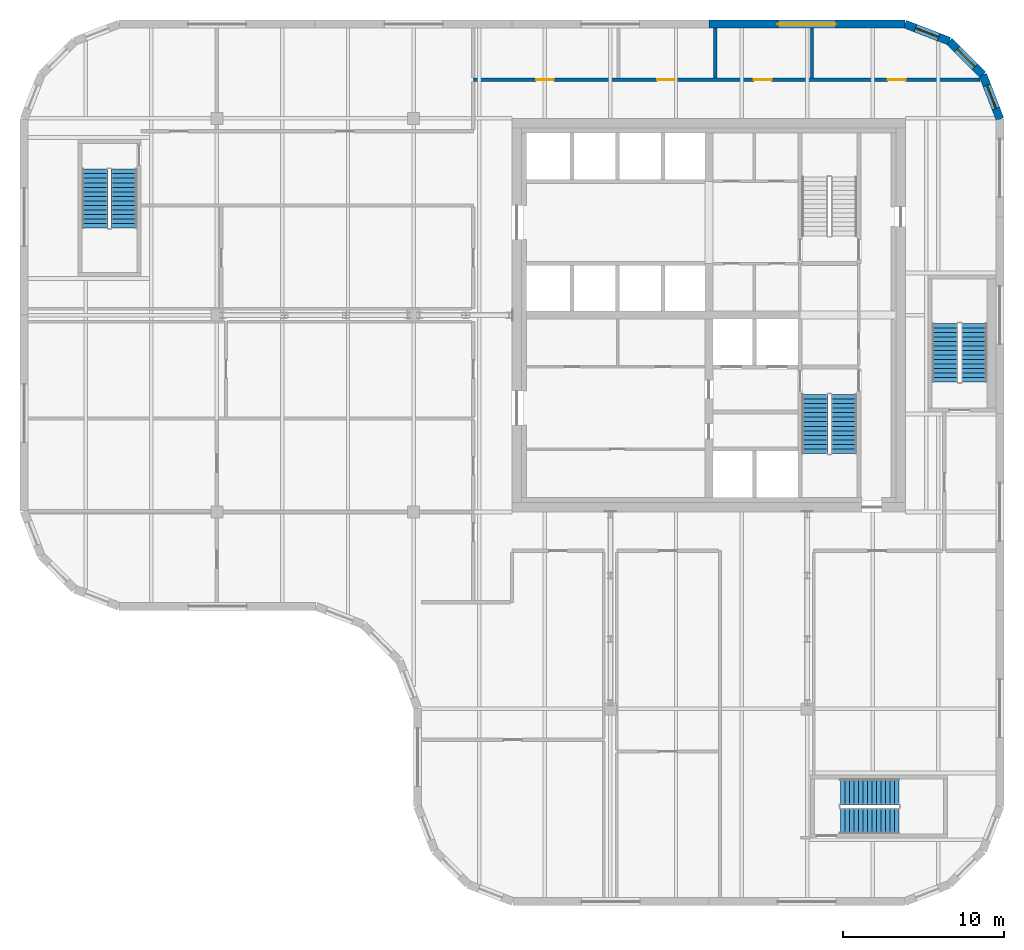
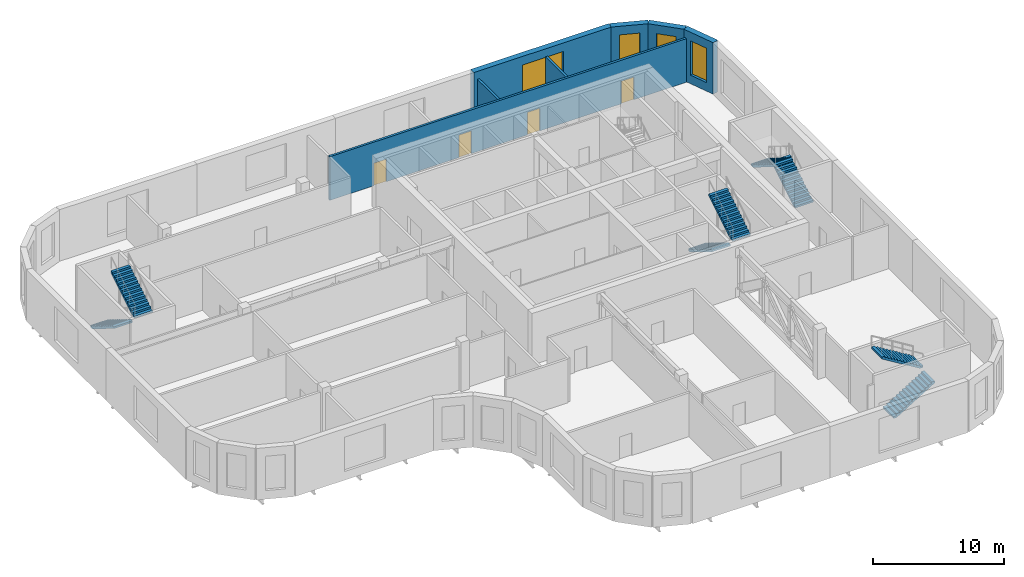
# One storey, part 10 of 12: 8 stair flights, 7 walls, 4 doors, 4 windows, 8 openings, 4 elements without a shape of their own.
"""IFC4 building model written with IfcOpenShell, lengths in metres."""

from ifc_helpers import new_model, si_unit, direction, frame, frame_2d, origin, place, context, subcontext, project, spatial, polyline, rectangle, outline, extrude, faceted_brep, source, transform, mapped, material, layer, layer_set, type_object, element, fill, aggregate, save


model = new_model("IFC4")

# Units and contexts
model_context = context("Model", 3, precision=1e-05, world=origin(), true_north=direction((0.0, 1.0)))
body_context = subcontext(model_context, "Body", "Model", "MODEL_VIEW")
ifc_project = project(units=[si_unit("LENGTHUNIT", "METRE"), si_unit("AREAUNIT", "SQUARE_METRE"), si_unit("VOLUMEUNIT", "CUBIC_METRE"), si_unit("PLANEANGLEUNIT", "RADIAN"), si_unit("MASSUNIT", "GRAM", prefix="KILO")], contexts=[model_context])

# Site, building, storey
site_placement = place(None, origin())
site = spatial("IfcSite", under=ifc_project, at=site_placement, CompositionType="ELEMENT")
building_placement = place(site_placement, origin())
building = spatial("IfcBuilding", under=site, at=building_placement, Name="Tessera Gate Towers", CompositionType="ELEMENT")
storey_placement = place(building_placement, frame((0.0, 0.0, 150.60009765625)))
storey = spatial("IfcBuildingStorey", under=building, at=storey_placement, Name="L37", CompositionType="ELEMENT", Elevation=150.60009765625)

# Wall, openings, doors
ifc_material_1 = material(Name="Concrete masonry unit", Category="masonry")
ifc_layer_1 = layer(ifc_material_1, 0.199951171875)
ifc_layer_set_1 = layer_set([ifc_layer_1], Name="PLANT WALL 200")
wall_type_1 = type_object("IfcWallType", Name="PLANT WALL 200", PredefinedType="PARTITIONING", material=ifc_layer_set_1)
wall_1_placement = place(storey_placement, frame((28.10009765625, 51.199951171875, 0.0), z_axis=(0.0, 0.0, 1.0), x_axis=(1.0, 0.0, 0.0)))
wall_1 = element("IfcWall", 1, at=wall_1_placement, inside=storey, type_object=wall_type_1, Name="T1-L37-PW-038", PredefinedType="PARTITIONING", context=body_context, shape_type="SweptSolid", body=[
    extrude(rectangle(XDim=31.4130859375, YDim=0.199951171875, at=frame_2d((15.70654296875, 0.0))), origin(), (0.0, 0.0, 1.0), 4.06689453125),
])
shared_shape_1 = source(origin(), body_context, "Body", "SweptSolid", [
    extrude(rectangle(XDim=1.10009765625, YDim=2.10009765625, at=frame_2d((0.550048828125, 1.050048828125))), frame((0.0, 0.10986328125, 0.0), z_axis=(0.0, -1.0, 0.0), x_axis=(1.0, 0.0, 0.0)), (0.0, 0.0, 1.0), 0.219970703125),
])
opening_1_placement = place(wall_1_placement, frame((17.40087890625, 0.0, 0.0)))
opening_1 = element("IfcOpeningElement", 2, at=opening_1_placement, cuts=wall_1, Name="Opening D5110FD90-A31-09", PredefinedType="OPENING", context=body_context, shape_type="MappedRepresentation", body=[
    mapped(shared_shape_1, transform((0.0, 0.0, 0.0), scale=1.0)),
])
opening_2_placement = place(wall_1_placement, frame((11.40087890625, 0.0, 0.0)))
opening_2 = element("IfcOpeningElement", 3, at=opening_2_placement, cuts=wall_1, Name="Opening D5110FD90-A31-10", PredefinedType="OPENING", context=body_context, shape_type="MappedRepresentation", body=[
    mapped(shared_shape_1, transform((0.0, 0.0, 0.0), scale=1.0)),
])
opening_3_placement = place(wall_1_placement, frame((3.89990234375, 0.0, 0.0)))
opening_3 = element("IfcOpeningElement", 4, at=opening_3_placement, cuts=wall_1, Name="Opening D5110FD90-A31-17", PredefinedType="OPENING", context=body_context, shape_type="MappedRepresentation", body=[
    mapped(shared_shape_1, transform((0.0, 0.0, 0.0), scale=1.0)),
])
opening_4_placement = place(wall_1_placement, frame((25.699951171875, 0.0, 0.0)))
opening_4 = element("IfcOpeningElement", 5, at=opening_4_placement, cuts=wall_1, Name="Opening D5110FD90-A31-18", PredefinedType="OPENING", context=body_context, shape_type="MappedRepresentation", body=[
    mapped(shared_shape_1, transform((0.0, 0.0, 0.0), scale=1.0)),
])
ifc_material_2 = material(Name="Timber door leaf in steel frame", Category="steel")
door_type = type_object("IfcDoorType", Name="PLANT DOOR 1100 FD90", OperationType="NOTDEFINED", PredefinedType="DOOR", material=ifc_material_2)
shared_shape_2 = source(origin(), body_context, "Body", "SweptSolid", [
    extrude(rectangle(XDim=1.10009765625, YDim=2.10009765625, at=frame_2d((0.550048828125, 1.050048828125))), frame((0.0, 0.02490234375, 0.0), z_axis=(0.0, -1.0, 0.0), x_axis=(1.0, 0.0, 0.0)), (0.0, 0.0, 1.0), 0.050048828125),
])
door_1_placement = place(opening_1_placement, origin())
door_1 = element("IfcDoor", 6, at=door_1_placement, inside=storey, type_object=door_type, Name="T1-L37-PD-009", OperationType="SINGLE_SWING_LEFT", OverallHeight=2.10009765625, OverallWidth=1.10009765625, PredefinedType="DOOR", context=body_context, shape_type="MappedRepresentation", body=[
    mapped(shared_shape_2, transform((0.0, 0.0, 0.0), scale=1.0)),
])
fill(opening_1, door_1)
door_2_placement = place(opening_2_placement, origin())
door_2 = element("IfcDoor", 7, at=door_2_placement, inside=storey, type_object=door_type, Name="T1-L37-PD-010", OperationType="SINGLE_SWING_LEFT", OverallHeight=2.10009765625, OverallWidth=1.10009765625, PredefinedType="DOOR", context=body_context, shape_type="MappedRepresentation", body=[
    mapped(shared_shape_2, transform((0.0, 0.0, 0.0), scale=1.0)),
])
fill(opening_2, door_2)
door_3_placement = place(opening_3_placement, origin())
door_3 = element("IfcDoor", 8, at=door_3_placement, inside=storey, type_object=door_type, Name="T1-L37-PD-017", OperationType="SINGLE_SWING_LEFT", OverallHeight=2.10009765625, OverallWidth=1.10009765625, PredefinedType="DOOR", context=body_context, shape_type="MappedRepresentation", body=[
    mapped(shared_shape_2, transform((0.0, 0.0, 0.0), scale=1.0)),
])
fill(opening_3, door_3)
door_4_placement = place(opening_4_placement, origin())
door_4 = element("IfcDoor", 9, at=door_4_placement, inside=storey, type_object=door_type, Name="T1-L37-PD-018", OperationType="SINGLE_SWING_LEFT", OverallHeight=2.10009765625, OverallWidth=1.10009765625, PredefinedType="DOOR", context=body_context, shape_type="MappedRepresentation", body=[
    mapped(shared_shape_2, transform((0.0, 0.0, 0.0), scale=1.0)),
])
fill(opening_4, door_4)

# Walls
for number, where, z_axis, x_axis, name in (
    (10, (43.10009765625, 51.301025390625, 0.0), (0.0, 0.0, 1.0), (0.0, 1.0, 0.0), "T1-L37-PW-041"),
    (11, (49.10009765625, 51.301025390625, 0.0), (0.0, 0.0, 1.0), (0.0, 1.0, 0.0), "T1-L37-PW-042"),
):
    element("IfcWall", number, at=place(storey_placement, frame(where, z_axis=z_axis, x_axis=x_axis)), inside=storey, type_object=wall_type_1, Name=name, PredefinedType="PARTITIONING", context=body_context, shape_type="SweptSolid", body=[
        extrude(rectangle(XDim=3.098876953125, YDim=0.199951171875, at=frame_2d((1.54931640625, 0.0))), origin(), (0.0, 0.0, 1.0), 4.06689453125),
    ])

# Wall, opening, window
ifc_material_3 = material(Name="Precast concrete C60/75 white", Category="concrete")
ifc_layer_2 = layer(ifc_material_3, 0.5)
ifc_layer_set_2 = layer_set([ifc_layer_2], Name="RB1 ring band panel")
wall_type_2 = type_object("IfcWallType", Name="RB1 ring band panel", PredefinedType="SOLIDWALL", material=ifc_layer_set_2)
shared_shape_3 = source(origin(), body_context, "Body", "Brep", [
    faceted_brep([(0.0, -0.25, 0.0), (12.153564453125, -0.25, 0.0), (12.153564453125, -0.25, 4.7998046875), (0.0, -0.25, 4.7998046875), (0.046630859375, 0.25, 4.7998046875), (12.153564453125, 0.25, 4.7998046875), (12.153564453125, 0.25, 0.0), (0.046630859375, 0.25, 0.0), (0.0, 0.0, 0.0), (0.0, 0.0, 4.7998046875)], [[[0, 1, 2, 3]], [[4, 5, 6, 7]], [[7, 6, 1, 0, 8]], [[5, 4, 9, 3, 2]], [[8, 0, 3, 9]], [[7, 8, 9, 4]], [[1, 6, 5, 2]]]),
])
wall_2_placement = place(storey_placement, frame((54.853515625, 54.64990234375, 0.0), z_axis=(0.0, 0.0, 1.0), x_axis=(-1.0, 0.0, 0.0)))
wall_2 = element("IfcWall", 12, at=wall_2_placement, inside=storey, type_object=wall_type_2, Name="Ring band panel T1 RB1-0045", PredefinedType="SOLIDWALL", context=body_context, shape_type="MappedRepresentation", body=[
    mapped(shared_shape_3, transform((0.0, 0.0, 0.0), scale=1.0)),
])
shared_shape_4 = source(origin(), body_context, "Body", "SweptSolid", [
    extrude(outline(polyline([(4.276611328125, 0.7998046875), (7.876708984375, 0.7998046875), (7.876708984375, 4.0), (4.276611328125, 4.0), (4.276611328125, 0.7998046875)])), frame((0.0, 0.260009765625, 0.0), z_axis=(0.0, -1.0, 0.0), x_axis=(1.0, 0.0, 0.0)), (0.0, 0.0, 1.0), 0.52001953125),
])
opening_5_placement = place(wall_2_placement, origin())
opening_5 = element("IfcOpeningElement", 13, at=opening_5_placement, cuts=wall_2, Name="Opening T1-WN-LV1-0045", PredefinedType="OPENING", context=body_context, shape_type="MappedRepresentation", body=[
    mapped(shared_shape_4, transform((0.0, 0.0, 0.0), scale=1.0)),
])
ifc_material_4 = material(Name="Aluminium louvre", Category="aluminium")
ifc_layer_3 = layer(ifc_material_4, 0.06005859375)
ifc_layer_set_3 = layer_set([ifc_layer_3], Name="LV1 louvre")
window_type = type_object("IfcWindowType", Name="LV1 louvre", PartitioningType="USERDEFINED", PredefinedType="WINDOW", material=ifc_layer_set_3)
shared_shape_5 = source(origin(), body_context, "Body", "SweptSolid", [
    extrude(outline(polyline([(4.276611328125, 0.7998046875), (7.876708984375, 0.7998046875), (7.876708984375, 4.0), (4.276611328125, 4.0), (4.276611328125, 0.7998046875)])), frame((0.0, 0.030029296875, 0.0), z_axis=(0.0, -1.0, 0.0), x_axis=(1.0, 0.0, 0.0)), (0.0, 0.0, 1.0), 0.06005859375),
])
window_1_placement = place(opening_5_placement, origin())
window_1 = element("IfcWindow", 14, at=window_1_placement, inside=storey, type_object=window_type, Name="Louvre T1 WN-LV1-0045", OverallHeight=3.2001953125, OverallWidth=3.60009765625, PartitioningType="USERDEFINED", PredefinedType="WINDOW", context=body_context, shape_type="MappedRepresentation", body=[
    mapped(shared_shape_5, transform((0.0, 0.0, 0.0), scale=1.0)),
])
fill(opening_5, window_1)

shared_shape_6 = source(origin(), body_context, "Body", "Brep", [
    faceted_brep([(0.0, -0.25, 0.0), (2.950439453125, -0.25, 0.0), (2.950439453125, -0.25, 4.7998046875), (0.0, -0.25, 4.7998046875), (0.046630859375, 0.25, 4.7998046875), (2.897705078125, 0.25, 4.7998046875), (2.897705078125, 0.25, 0.0), (0.046630859375, 0.25, 0.0), (2.950439453125, 0.00048828125, 0.0), (0.0, 0.0, 0.0), (2.950439453125, 0.00048828125, 4.7998046875), (0.0, 0.0, 4.7998046875)], [[[0, 1, 2, 3]], [[4, 5, 6, 7]], [[7, 6, 8, 1, 0, 9]], [[10, 2, 1, 8]], [[5, 4, 11, 3, 2, 10]], [[9, 0, 3, 11]], [[7, 9, 11, 4]], [[8, 6, 5, 10]]]),
])
wall_3_placement = place(storey_placement, frame((60.75, 48.75341796875, 0.0), z_axis=(0.0, 0.0, 1.0), x_axis=(-0.359877213415, 0.932999673775, 0.0)))
wall_3 = element("IfcWall", 15, at=wall_3_placement, inside=storey, type_object=wall_type_2, Name="Ring band panel T1 RB1-0042", PredefinedType="SOLIDWALL", context=body_context, shape_type="MappedRepresentation", body=[
    mapped(shared_shape_6, transform((0.0, 0.0, 0.0), scale=1.0)),
])
shared_shape_7 = source(origin(), body_context, "Body", "SweptSolid", [
    extrude(outline(polyline([(0.699951171875, 0.7998046875), (2.25048828125, 0.7998046875), (2.25048828125, 4.0), (0.699951171875, 4.0), (0.699951171875, 0.7998046875)])), frame((0.0, 0.260009765625, 0.0), z_axis=(0.0, -1.0, 0.0), x_axis=(1.0, 0.0, 0.0)), (0.0, 0.0, 1.0), 0.52001953125),
])
opening_6_placement = place(wall_3_placement, origin())
opening_6 = element("IfcOpeningElement", 16, at=opening_6_placement, cuts=wall_3, Name="Opening T1-WN-LV1-0042", PredefinedType="OPENING", context=body_context, shape_type="MappedRepresentation", body=[
    mapped(shared_shape_7, transform((0.0, 0.0, 0.0), scale=1.0)),
])
shared_shape_8 = source(origin(), body_context, "Body", "SweptSolid", [
    extrude(outline(polyline([(0.699951171875, 0.7998046875), (2.25048828125, 0.7998046875), (2.25048828125, 4.0), (0.699951171875, 4.0), (0.699951171875, 0.7998046875)])), frame((0.0, 0.030029296875, 0.0), z_axis=(0.0, -1.0, 0.0), x_axis=(1.0, 0.0, 0.0)), (0.0, 0.0, 1.0), 0.06005859375),
])
window_2_placement = place(opening_6_placement, origin())
window_2 = element("IfcWindow", 17, at=window_2_placement, inside=storey, type_object=window_type, Name="Louvre T1 WN-LV1-0042", OverallHeight=3.2001953125, OverallWidth=1.550537109375, PartitioningType="USERDEFINED", PredefinedType="WINDOW", context=body_context, shape_type="MappedRepresentation", body=[
    mapped(shared_shape_8, transform((0.0, 0.0, 0.0), scale=1.0)),
])
fill(opening_6, window_2)

shared_shape_9 = source(origin(), body_context, "Body", "Brep", [
    faceted_brep([(0.0, -0.25, 0.0), (2.944091796875, -0.25, 0.0), (2.944091796875, -0.25, 4.7998046875), (0.0, -0.25, 4.7998046875), (0.052978515625, 0.25, 4.7998046875), (2.89111328125, 0.25, 4.7998046875), (2.89111328125, 0.25, 0.0), (0.052978515625, 0.25, 0.0), (2.944091796875, 0.000244140625, 0.0), (0.0, 0.0, 0.0), (2.944091796875, 0.000244140625, 4.7998046875), (0.0, 0.0, 4.7998046875)], [[[0, 1, 2, 3]], [[4, 5, 6, 7]], [[7, 6, 8, 1, 0, 9]], [[10, 2, 1, 8]], [[5, 4, 11, 3, 2, 10]], [[9, 0, 3, 11]], [[7, 9, 11, 4]], [[8, 6, 5, 10]]]),
])
wall_4_placement = place(storey_placement, frame((59.68798828125, 51.50634765625, 0.0), z_axis=(0.0, 0.0, 1.0), x_axis=(-0.707106781187, 0.707106781187, 0.0)))
wall_4 = element("IfcWall", 18, at=wall_4_placement, inside=storey, type_object=wall_type_2, Name="Ring band panel T1 RB1-0043", PredefinedType="SOLIDWALL", context=body_context, shape_type="MappedRepresentation", body=[
    mapped(shared_shape_9, transform((0.0, 0.0, 0.0), scale=1.0)),
])
shared_shape_10 = source(origin(), body_context, "Body", "SweptSolid", [
    extrude(outline(polyline([(0.699951171875, 0.7998046875), (2.244140625, 0.7998046875), (2.244140625, 4.0), (0.699951171875, 4.0), (0.699951171875, 0.7998046875)])), frame((0.0, 0.260009765625, 0.0), z_axis=(0.0, -1.0, 0.0), x_axis=(1.0, 0.0, 0.0)), (0.0, 0.0, 1.0), 0.52001953125),
])
opening_7_placement = place(wall_4_placement, origin())
opening_7 = element("IfcOpeningElement", 19, at=opening_7_placement, cuts=wall_4, Name="Opening T1-WN-LV1-0043", PredefinedType="OPENING", context=body_context, shape_type="MappedRepresentation", body=[
    mapped(shared_shape_10, transform((0.0, 0.0, 0.0), scale=1.0)),
])
shared_shape_11 = source(origin(), body_context, "Body", "SweptSolid", [
    extrude(outline(polyline([(0.699951171875, 0.7998046875), (2.244140625, 0.7998046875), (2.244140625, 4.0), (0.699951171875, 4.0), (0.699951171875, 0.7998046875)])), frame((0.0, 0.030029296875, 0.0), z_axis=(0.0, -1.0, 0.0), x_axis=(1.0, 0.0, 0.0)), (0.0, 0.0, 1.0), 0.06005859375),
])
window_3_placement = place(opening_7_placement, origin())
window_3 = element("IfcWindow", 20, at=window_3_placement, inside=storey, type_object=window_type, Name="Louvre T1 WN-LV1-0043", OverallHeight=3.2001953125, OverallWidth=1.544189453125, PartitioningType="USERDEFINED", PredefinedType="WINDOW", context=body_context, shape_type="MappedRepresentation", body=[
    mapped(shared_shape_11, transform((0.0, 0.0, 0.0), scale=1.0)),
])
fill(opening_7, window_3)

shared_shape_12 = source(origin(), body_context, "Body", "Brep", [
    faceted_brep([(0.0, -0.25, 0.0), (2.950439453125, -0.25, 0.0), (2.950439453125, -0.25, 4.7998046875), (0.0, -0.25, 4.7998046875), (0.052978515625, 0.25, 4.7998046875), (2.904052734375, 0.25, 4.7998046875), (2.904052734375, 0.25, 0.0), (0.052978515625, 0.25, 0.0), (2.950439453125, 0.00048828125, 0.0), (0.0, 0.0, 0.0), (2.950439453125, 0.00048828125, 4.7998046875), (0.0, 0.0, 4.7998046875)], [[[0, 1, 2, 3]], [[4, 5, 6, 7]], [[7, 6, 8, 1, 0, 9]], [[10, 2, 1, 8]], [[5, 4, 11, 3, 2, 10]], [[9, 0, 3, 11]], [[7, 9, 11, 4]], [[8, 6, 5, 10]]]),
])
wall_5_placement = place(storey_placement, frame((57.606201171875, 53.588134765625, 0.0), z_axis=(0.0, 0.0, 1.0), x_axis=(-0.932999673775, 0.359877213415, 0.0)))
wall_5 = element("IfcWall", 21, at=wall_5_placement, inside=storey, type_object=wall_type_2, Name="Ring band panel T1 RB1-0044", PredefinedType="SOLIDWALL", context=body_context, shape_type="MappedRepresentation", body=[
    mapped(shared_shape_12, transform((0.0, 0.0, 0.0), scale=1.0)),
])
opening_8_placement = place(wall_5_placement, origin())
opening_8 = element("IfcOpeningElement", 22, at=opening_8_placement, cuts=wall_5, Name="Opening T1-WN-LV1-0044", PredefinedType="OPENING", context=body_context, shape_type="MappedRepresentation", body=[
    mapped(shared_shape_7, transform((0.0, 0.0, 0.0), scale=1.0)),
])
window_4_placement = place(opening_8_placement, origin())
window_4 = element("IfcWindow", 23, at=window_4_placement, inside=storey, type_object=window_type, Name="Louvre T1 WN-LV1-0044", OverallHeight=3.2001953125, OverallWidth=1.550537109375, PartitioningType="USERDEFINED", PredefinedType="WINDOW", context=body_context, shape_type="MappedRepresentation", body=[
    mapped(shared_shape_8, transform((0.0, 0.0, 0.0), scale=1.0)),
])
fill(opening_8, window_4)

# Stair, stair flights
ifc_material_5 = material(Name="Concrete C40/50", Category="concrete")
stair_type_1 = type_object("IfcStairType", Name="EXIT STAIR ST1A 1600", PredefinedType="HALF_TURN_STAIR", material=ifc_material_5)
stair_1_placement = place(storey_placement, origin())
stair_1 = element("IfcStair", 24, at=stair_1_placement, inside=storey, type_object=stair_type_1, Name="L37 Protected Exit Stair ST1", PredefinedType="HALF_TURN_STAIR")
ifc_material_6 = material(Name="Concrete C40/50", Category="concrete")
stair_flight_type_1 = type_object("IfcStairFlightType", Name="EXIT STAIR FLIGHT ST1A 1600", PredefinedType="STRAIGHT", material=ifc_material_6)
stair_flight_1_placement = place(storey_placement, frame((49.27490234375, 31.675048828125, 0.0), z_axis=(0.0, 0.0, 1.0), x_axis=(0.0, -1.0, 0.0)))
stair_flight_1 = element("IfcStairFlight", 25, at=stair_flight_1_placement, type_object=stair_flight_type_1, Name="ST1 flight 1", NumberOfRisers=14, NumberOfTreads=13, PredefinedType="STRAIGHT", RiserHeight=0.171428571, TreadLength=0.28, context=body_context, shape_type="SweptSolid", body=[
    extrude(outline(polyline([(0.0, 0.0), (0.0, 0.17138671875), (0.280029296875, 0.17138671875), (0.280029296875, 0.3427734375), (0.56005859375, 0.3427734375), (0.56005859375, 0.514404296875), (0.840087890625, 0.514404296875), (0.840087890625, 0.685791015625), (1.1201171875, 0.685791015625), (1.1201171875, 0.857177734375), (1.39990234375, 0.857177734375), (1.39990234375, 1.028564453125), (1.679931640625, 1.028564453125), (1.679931640625, 1.199951171875), (1.9599609375, 1.199951171875), (1.9599609375, 1.371337890625), (2.239990234375, 1.371337890625), (2.239990234375, 1.54296875), (2.52001953125, 1.54296875), (2.52001953125, 1.71435546875), (2.800048828125, 1.71435546875), (2.800048828125, 1.8857421875), (3.080078125, 1.8857421875), (3.080078125, 2.05712890625), (3.360107421875, 2.05712890625), (3.360107421875, 2.228515625), (3.639892578125, 2.228515625), (3.639892578125, 2.39990234375), (3.639892578125, 2.052734375), (0.287109375, 0.0), (0.0, 0.0)])), frame((0.0, 0.800048828125, 0.0), z_axis=(0.0, -1.0, 0.0), x_axis=(1.0, 0.0, 0.0)), (0.0, 0.0, 1.0), 1.60009765625),
])
stair_flight_2_placement = place(storey_placement, frame((51.074951171875, 28.034912109375, 2.39990234375), z_axis=(0.0, 0.0, 1.0), x_axis=(0.0, 1.0, 0.0)))
stair_flight_2 = element("IfcStairFlight", 26, at=stair_flight_2_placement, type_object=stair_flight_type_1, Name="ST1 flight 2", NumberOfRisers=14, NumberOfTreads=13, PredefinedType="STRAIGHT", RiserHeight=0.171428571, TreadLength=0.28, context=body_context, shape_type="SweptSolid", body=[
    extrude(outline(polyline([(0.0, 0.0), (0.0, 0.17138671875), (0.280029296875, 0.17138671875), (0.280029296875, 0.3427734375), (0.56005859375, 0.3427734375), (0.56005859375, 0.514404296875), (0.840087890625, 0.514404296875), (0.840087890625, 0.685791015625), (1.1201171875, 0.685791015625), (1.1201171875, 0.857177734375), (1.39990234375, 0.857177734375), (1.39990234375, 1.028564453125), (1.679931640625, 1.028564453125), (1.679931640625, 1.199951171875), (1.9599609375, 1.199951171875), (1.9599609375, 1.371337890625), (2.239990234375, 1.371337890625), (2.239990234375, 1.54296875), (2.52001953125, 1.54296875), (2.52001953125, 1.71435546875), (2.800048828125, 1.71435546875), (2.800048828125, 1.8857421875), (3.080078125, 1.8857421875), (3.080078125, 2.05712890625), (3.360107421875, 2.05712890625), (3.360107421875, 2.228515625), (3.639892578125, 2.228515625), (3.639892578125, 2.39990234375), (3.639892578125, 2.052734375), (0.287109375, 0.0), (0.0, 0.0)])), frame((0.0, 0.800048828125, 0.0), z_axis=(0.0, -1.0, 0.0), x_axis=(1.0, 0.0, 0.0)), (0.0, 0.0, 1.0), 1.60009765625),
])
aggregate(stair_1, [stair_flight_1, stair_flight_2])

ifc_material_7 = material(Name="Concrete C40/50", Category="concrete")
stair_type_2 = type_object("IfcStairType", Name="EXIT STAIR ST3A 1600", PredefinedType="HALF_TURN_STAIR", material=ifc_material_7)
stair_2_placement = place(storey_placement, origin())
stair_2 = element("IfcStair", 27, at=stair_2_placement, inside=storey, type_object=stair_type_2, Name="L37 West Exit Stair ST3", PredefinedType="HALF_TURN_STAIR")
ifc_material_8 = material(Name="Concrete C40/50", Category="concrete")
stair_flight_type_2 = type_object("IfcStairFlightType", Name="EXIT STAIR FLIGHT ST3A 1600", PredefinedType="STRAIGHT", material=ifc_material_8)
stair_flight_3_placement = place(storey_placement, frame((4.64990234375, 45.64990234375, 0.0), z_axis=(0.0, 0.0, 1.0), x_axis=(0.0, -1.0, 0.0)))
stair_flight_3 = element("IfcStairFlight", 28, at=stair_flight_3_placement, type_object=stair_flight_type_2, Name="ST3 flight 1", NumberOfRisers=14, NumberOfTreads=13, PredefinedType="STRAIGHT", RiserHeight=0.171428571, TreadLength=0.28, context=body_context, shape_type="SweptSolid", body=[
    extrude(outline(polyline([(0.0, 0.0), (0.0, 0.17138671875), (0.280029296875, 0.17138671875), (0.280029296875, 0.3427734375), (0.56005859375, 0.3427734375), (0.56005859375, 0.514404296875), (0.840087890625, 0.514404296875), (0.840087890625, 0.685791015625), (1.1201171875, 0.685791015625), (1.1201171875, 0.857177734375), (1.39990234375, 0.857177734375), (1.39990234375, 1.028564453125), (1.679931640625, 1.028564453125), (1.679931640625, 1.199951171875), (1.9599609375, 1.199951171875), (1.9599609375, 1.371337890625), (2.239990234375, 1.371337890625), (2.239990234375, 1.54296875), (2.52001953125, 1.54296875), (2.52001953125, 1.71435546875), (2.800048828125, 1.71435546875), (2.800048828125, 1.8857421875), (3.080078125, 1.8857421875), (3.080078125, 2.05712890625), (3.360107421875, 2.05712890625), (3.360107421875, 2.228515625), (3.639892578125, 2.228515625), (3.639892578125, 2.39990234375), (3.639892578125, 2.052734375), (0.287109375, 0.0), (0.0, 0.0)])), frame((0.0, 0.800048828125, 0.0), z_axis=(0.0, -1.0, 0.0), x_axis=(1.0, 0.0, 0.0)), (0.0, 0.0, 1.0), 1.60009765625),
])
stair_flight_4_placement = place(storey_placement, frame((6.449951171875, 42.010009765625, 2.39990234375), z_axis=(0.0, 0.0, 1.0), x_axis=(0.0, 1.0, 0.0)))
stair_flight_4 = element("IfcStairFlight", 29, at=stair_flight_4_placement, type_object=stair_flight_type_2, Name="ST3 flight 2", NumberOfRisers=14, NumberOfTreads=13, PredefinedType="STRAIGHT", RiserHeight=0.171428571, TreadLength=0.28, context=body_context, shape_type="SweptSolid", body=[
    extrude(outline(polyline([(0.0, 0.0), (0.0, 0.17138671875), (0.280029296875, 0.17138671875), (0.280029296875, 0.3427734375), (0.56005859375, 0.3427734375), (0.56005859375, 0.514404296875), (0.840087890625, 0.514404296875), (0.840087890625, 0.685791015625), (1.1201171875, 0.685791015625), (1.1201171875, 0.857177734375), (1.39990234375, 0.857177734375), (1.39990234375, 1.028564453125), (1.679931640625, 1.028564453125), (1.679931640625, 1.199951171875), (1.9599609375, 1.199951171875), (1.9599609375, 1.371337890625), (2.239990234375, 1.371337890625), (2.239990234375, 1.54296875), (2.52001953125, 1.54296875), (2.52001953125, 1.71435546875), (2.800048828125, 1.71435546875), (2.800048828125, 1.8857421875), (3.080078125, 1.8857421875), (3.080078125, 2.05712890625), (3.360107421875, 2.05712890625), (3.360107421875, 2.228515625), (3.639892578125, 2.228515625), (3.639892578125, 2.39990234375), (3.639892578125, 2.052734375), (0.287109375, 0.0), (0.0, 0.0)])), frame((0.0, 0.800048828125, 0.0), z_axis=(0.0, -1.0, 0.0), x_axis=(1.0, 0.0, 0.0)), (0.0, 0.0, 1.0), 1.60009765625),
])
aggregate(stair_2, [stair_flight_3, stair_flight_4])

ifc_material_9 = material(Name="Concrete C40/50", Category="concrete")
stair_type_3 = type_object("IfcStairType", Name="EXIT STAIR ST4A 1600", PredefinedType="HALF_TURN_STAIR", material=ifc_material_9)
stair_3_placement = place(storey_placement, origin())
stair_3 = element("IfcStair", 30, at=stair_3_placement, inside=storey, type_object=stair_type_3, Name="L37 South Exit Stair ST4", PredefinedType="HALF_TURN_STAIR")
ifc_material_10 = material(Name="Concrete C40/50", Category="concrete")
stair_flight_type_3 = type_object("IfcStairFlightType", Name="EXIT STAIR FLIGHT ST4A 1600", PredefinedType="STRAIGHT", material=ifc_material_10)
stair_flight_5_placement = place(storey_placement, frame((50.85009765625, 5.25, 0.0), z_axis=(0.0, 0.0, 1.0), x_axis=(1.0, 0.0, 0.0)))
stair_flight_5 = element("IfcStairFlight", 31, at=stair_flight_5_placement, type_object=stair_flight_type_3, Name="ST4 flight 1", NumberOfRisers=14, NumberOfTreads=13, PredefinedType="STRAIGHT", RiserHeight=0.171428571, TreadLength=0.28, context=body_context, shape_type="SweptSolid", body=[
    extrude(outline(polyline([(0.0, 0.0), (0.0, 0.17138671875), (0.280029296875, 0.17138671875), (0.280029296875, 0.3427734375), (0.56005859375, 0.3427734375), (0.56005859375, 0.514404296875), (0.840087890625, 0.514404296875), (0.840087890625, 0.685791015625), (1.1201171875, 0.685791015625), (1.1201171875, 0.857177734375), (1.39990234375, 0.857177734375), (1.39990234375, 1.028564453125), (1.679931640625, 1.028564453125), (1.679931640625, 1.199951171875), (1.9599609375, 1.199951171875), (1.9599609375, 1.371337890625), (2.239990234375, 1.371337890625), (2.239990234375, 1.54296875), (2.52001953125, 1.54296875), (2.52001953125, 1.71435546875), (2.800048828125, 1.71435546875), (2.800048828125, 1.8857421875), (3.080078125, 1.8857421875), (3.080078125, 2.05712890625), (3.360107421875, 2.05712890625), (3.360107421875, 2.228515625), (3.639892578125, 2.228515625), (3.639892578125, 2.39990234375), (3.639892578125, 2.052734375), (0.287109375, 0.0), (0.0, 0.0)])), frame((0.0, 0.800048828125, 0.0), z_axis=(0.0, -1.0, 0.0), x_axis=(1.0, 0.0, 0.0)), (0.0, 0.0, 1.0), 1.60009765625),
])
stair_flight_6_placement = place(storey_placement, frame((54.489990234375, 7.050048828125, 2.39990234375), z_axis=(0.0, 0.0, 1.0), x_axis=(-1.0, 0.0, 0.0)))
stair_flight_6 = element("IfcStairFlight", 32, at=stair_flight_6_placement, type_object=stair_flight_type_3, Name="ST4 flight 2", NumberOfRisers=14, NumberOfTreads=13, PredefinedType="STRAIGHT", RiserHeight=0.171428571, TreadLength=0.28, context=body_context, shape_type="SweptSolid", body=[
    extrude(outline(polyline([(0.0, 0.0), (0.0, 0.17138671875), (0.280029296875, 0.17138671875), (0.280029296875, 0.3427734375), (0.56005859375, 0.3427734375), (0.56005859375, 0.514404296875), (0.840087890625, 0.514404296875), (0.840087890625, 0.685791015625), (1.1201171875, 0.685791015625), (1.1201171875, 0.857177734375), (1.39990234375, 0.857177734375), (1.39990234375, 1.028564453125), (1.679931640625, 1.028564453125), (1.679931640625, 1.199951171875), (1.9599609375, 1.199951171875), (1.9599609375, 1.371337890625), (2.239990234375, 1.371337890625), (2.239990234375, 1.54296875), (2.52001953125, 1.54296875), (2.52001953125, 1.71435546875), (2.800048828125, 1.71435546875), (2.800048828125, 1.8857421875), (3.080078125, 1.8857421875), (3.080078125, 2.05712890625), (3.360107421875, 2.05712890625), (3.360107421875, 2.228515625), (3.639892578125, 2.228515625), (3.639892578125, 2.39990234375), (3.639892578125, 2.052734375), (0.287109375, 0.0), (0.0, 0.0)])), frame((0.0, 0.800048828125, 0.0), z_axis=(0.0, -1.0, 0.0), x_axis=(1.0, 0.0, 0.0)), (0.0, 0.0, 1.0), 1.60009765625),
])
aggregate(stair_3, [stair_flight_5, stair_flight_6])

ifc_material_11 = material(Name="Concrete C40/50", Category="concrete")
stair_type_4 = type_object("IfcStairType", Name="EXIT STAIR ST5A 1600", PredefinedType="HALF_TURN_STAIR", material=ifc_material_11)
stair_4_placement = place(storey_placement, origin())
stair_4 = element("IfcStair", 33, at=stair_4_placement, inside=storey, type_object=stair_type_4, Name="L37 East Exit Stair ST5", PredefinedType="HALF_TURN_STAIR")
ifc_material_12 = material(Name="Concrete C40/50", Category="concrete")
stair_flight_type_4 = type_object("IfcStairFlightType", Name="EXIT STAIR FLIGHT ST5A 1600", PredefinedType="STRAIGHT", material=ifc_material_12)
stair_flight_7_placement = place(storey_placement, frame((59.14990234375, 32.449951171875, 0.0), z_axis=(0.0, 0.0, 1.0), x_axis=(0.0, 1.0, 0.0)))
stair_flight_7 = element("IfcStairFlight", 34, at=stair_flight_7_placement, type_object=stair_flight_type_4, Name="ST5 flight 1", NumberOfRisers=14, NumberOfTreads=13, PredefinedType="STRAIGHT", RiserHeight=0.171428571, TreadLength=0.28, context=body_context, shape_type="SweptSolid", body=[
    extrude(outline(polyline([(0.0, 0.0), (0.0, 0.17138671875), (0.280029296875, 0.17138671875), (0.280029296875, 0.3427734375), (0.56005859375, 0.3427734375), (0.56005859375, 0.514404296875), (0.840087890625, 0.514404296875), (0.840087890625, 0.685791015625), (1.1201171875, 0.685791015625), (1.1201171875, 0.857177734375), (1.39990234375, 0.857177734375), (1.39990234375, 1.028564453125), (1.679931640625, 1.028564453125), (1.679931640625, 1.199951171875), (1.9599609375, 1.199951171875), (1.9599609375, 1.371337890625), (2.239990234375, 1.371337890625), (2.239990234375, 1.54296875), (2.52001953125, 1.54296875), (2.52001953125, 1.71435546875), (2.800048828125, 1.71435546875), (2.800048828125, 1.8857421875), (3.080078125, 1.8857421875), (3.080078125, 2.05712890625), (3.360107421875, 2.05712890625), (3.360107421875, 2.228515625), (3.639892578125, 2.228515625), (3.639892578125, 2.39990234375), (3.639892578125, 2.052734375), (0.287109375, 0.0), (0.0, 0.0)])), frame((0.0, 0.800048828125, 0.0), z_axis=(0.0, -1.0, 0.0), x_axis=(1.0, 0.0, 0.0)), (0.0, 0.0, 1.0), 1.60009765625),
])
stair_flight_8_placement = place(storey_placement, frame((57.35009765625, 36.090087890625, 2.39990234375), z_axis=(0.0, 0.0, 1.0), x_axis=(0.0, -1.0, 0.0)))
stair_flight_8 = element("IfcStairFlight", 35, at=stair_flight_8_placement, type_object=stair_flight_type_4, Name="ST5 flight 2", NumberOfRisers=14, NumberOfTreads=13, PredefinedType="STRAIGHT", RiserHeight=0.171428571, TreadLength=0.28, context=body_context, shape_type="SweptSolid", body=[
    extrude(outline(polyline([(0.0, 0.0), (0.0, 0.17138671875), (0.280029296875, 0.17138671875), (0.280029296875, 0.3427734375), (0.56005859375, 0.3427734375), (0.56005859375, 0.514404296875), (0.840087890625, 0.514404296875), (0.840087890625, 0.685791015625), (1.1201171875, 0.685791015625), (1.1201171875, 0.857177734375), (1.39990234375, 0.857177734375), (1.39990234375, 1.028564453125), (1.679931640625, 1.028564453125), (1.679931640625, 1.199951171875), (1.9599609375, 1.199951171875), (1.9599609375, 1.371337890625), (2.239990234375, 1.371337890625), (2.239990234375, 1.54296875), (2.52001953125, 1.54296875), (2.52001953125, 1.71435546875), (2.800048828125, 1.71435546875), (2.800048828125, 1.8857421875), (3.080078125, 1.8857421875), (3.080078125, 2.05712890625), (3.360107421875, 2.05712890625), (3.360107421875, 2.228515625), (3.639892578125, 2.228515625), (3.639892578125, 2.39990234375), (3.639892578125, 2.052734375), (0.287109375, 0.0), (0.0, 0.0)])), frame((0.0, 0.800048828125, 0.0), z_axis=(0.0, -1.0, 0.0), x_axis=(1.0, 0.0, 0.0)), (0.0, 0.0, 1.0), 1.60009765625),
])
aggregate(stair_4, [stair_flight_7, stair_flight_8])

save(model, "model.ifc")
